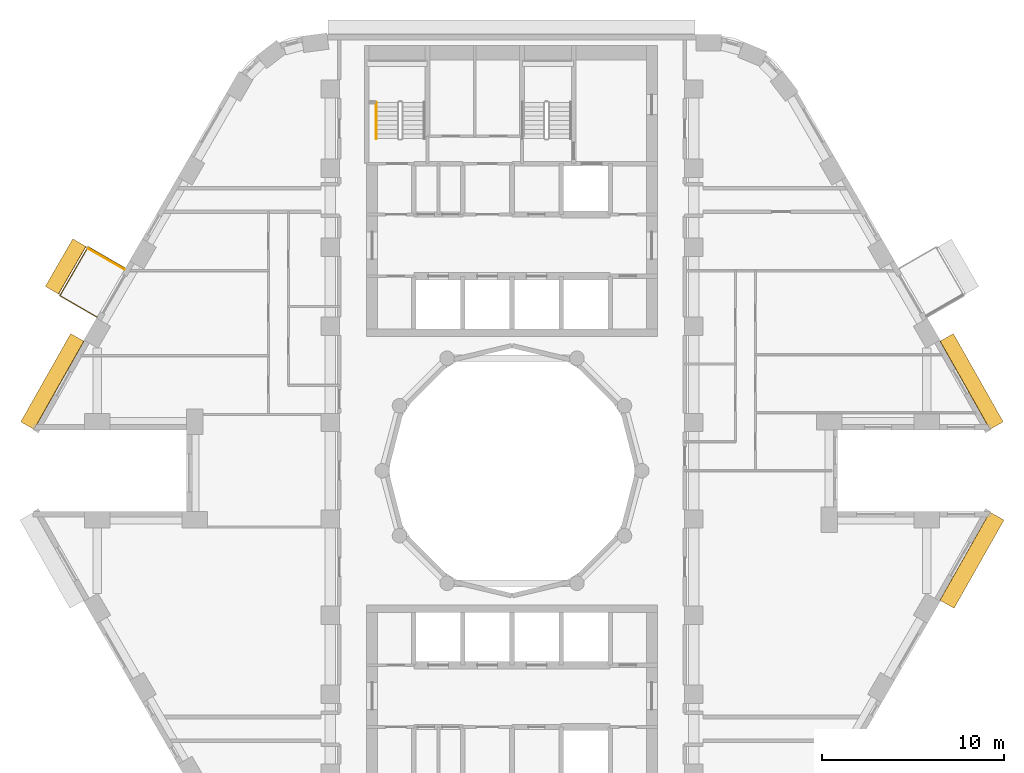
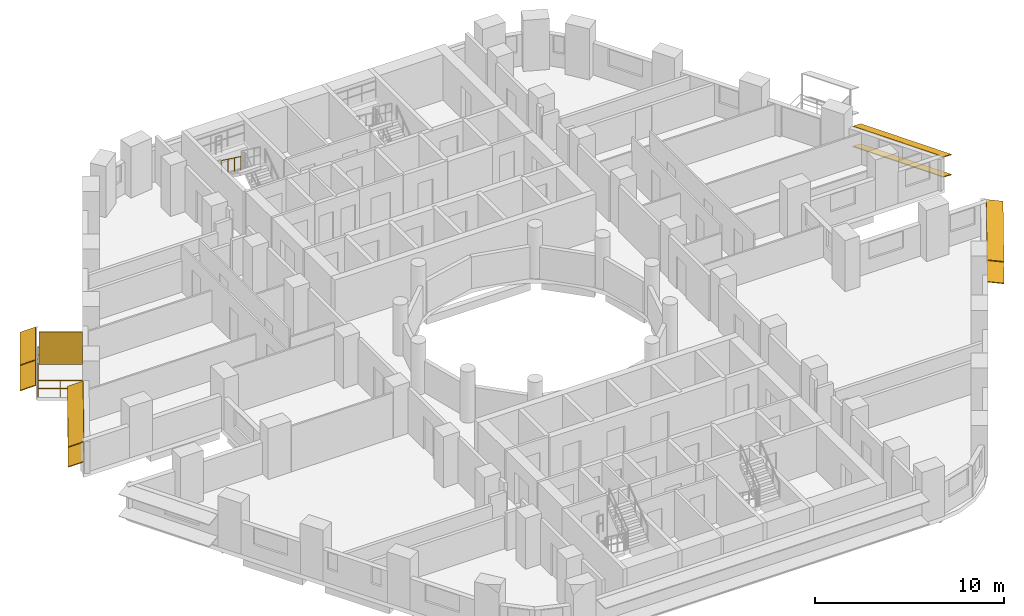
# One storey, part 13 of 14: 9 shading devices, 2 railings.
"""IFC4 building model written with IfcOpenShell, lengths in metres."""

from ifc_helpers import new_model, si_unit, direction, frame, origin, origin_2d, place, context, subcontext, project, spatial, rectangle, circle, extrude, material, layer, layer_set, material_profile, profile_set, type_object, element, save


model = new_model("IFC4")

# Units and contexts
model_context = context("Model", 3, precision=1e-05, world=origin(), true_north=direction((0.0, 1.0)))
body_context = subcontext(model_context, "Body", "Model", "MODEL_VIEW")
ifc_project = project(units=[si_unit("LENGTHUNIT", "METRE"), si_unit("AREAUNIT", "SQUARE_METRE"), si_unit("VOLUMEUNIT", "CUBIC_METRE"), si_unit("PLANEANGLEUNIT", "RADIAN"), si_unit("MASSUNIT", "GRAM", prefix="KILO")], contexts=[model_context])

# Site, building, storey
site_placement = place(None, origin())
site = spatial("IfcSite", under=ifc_project, at=site_placement, CompositionType="ELEMENT")
building_placement = place(site_placement, origin())
building = spatial("IfcBuilding", under=site, at=building_placement, Name="Nakaniwa Court", CompositionType="ELEMENT")
storey_placement = place(building_placement, frame((0.0, 0.0, 117.300048828125)))
storey = spatial("IfcBuildingStorey", under=building, at=storey_placement, Name="L31", CompositionType="ELEMENT", Elevation=117.300048828125)

# Railing
ifc_material_1 = material(Name="Black powder-coated steel flat bar balustrade S275", Category="steel")
railing_type_1 = type_object("IfcRailingType", Name="Black metal balcony guard 1100", PredefinedType="GUARDRAIL", material=ifc_material_1)
railing_1_placement = place(storey_placement, frame((58.7177734375, 91.13818359375, -0.050048828125)))
element("IfcRailing", 1, at=railing_1_placement, inside=storey, type_object=railing_type_1, Name="L31 balcony guard 01", PredefinedType="GUARDRAIL", context=body_context, shape_type="SweptSolid", body=[
    extrude(circle(Radius=0.02392578125, at=origin_2d()), frame((0.0, 0.0, 1.076171875), z_axis=(-0.866025363618, 0.50000006957, 0.0), x_axis=(-0.50000006957, -0.866025363618, 0.0)), (0.0, 0.0, 1.0), 2.35986328125),
    extrude(circle(Radius=0.02392578125, at=origin_2d()), frame((0.0, 0.0, 0.550048828125), z_axis=(-0.866025363618, 0.50000006957, 0.0), x_axis=(-0.50000006957, -0.866025363618, 0.0)), (0.0, 0.0, 1.0), 2.35986328125),
    extrude(circle(Radius=0.02392578125, at=origin_2d()), frame((-2.043701171875, 1.179931640625, 1.076171875), z_axis=(-0.499983724212, -0.866034800411, 0.0), x_axis=(0.866034800411, -0.499983724212, 0.0)), (0.0, 0.0, 1.0), 3.1005859375),
    extrude(circle(Radius=0.02392578125, at=origin_2d()), frame((-2.043701171875, 1.179931640625, 0.550048828125), z_axis=(-0.499983724212, -0.866034800411, 0.0), x_axis=(0.866034800411, -0.499983724212, 0.0)), (0.0, 0.0, 1.0), 3.1005859375),
    extrude(circle(Radius=0.02392578125, at=origin_2d()), frame((-3.593994140625, -1.50537109375, 1.076171875), z_axis=(0.866025363618, -0.50000006957, 0.0), x_axis=(0.50000006957, 0.866025363618, 0.0)), (0.0, 0.0, 1.0), 2.35986328125),
    extrude(circle(Radius=0.02392578125, at=origin_2d()), frame((-3.593994140625, -1.50537109375, 0.550048828125), z_axis=(0.866025363618, -0.50000006957, 0.0), x_axis=(0.50000006957, 0.866025363618, 0.0)), (0.0, 0.0, 1.0), 2.35986328125),
    extrude(circle(Radius=0.02099609375, at=origin_2d()), origin(), (0.0, 0.0, 1.0), 1.052001953125),
    extrude(circle(Radius=0.02099609375, at=origin_2d()), frame((-1.02197265625, 0.58984375, 0.0)), (0.0, 0.0, 1.0), 1.052001953125),
    extrude(circle(Radius=0.02099609375, at=origin_2d()), frame((-2.043701171875, 1.179931640625, 0.0)), (0.0, 0.0, 1.0), 1.052001953125),
    extrude(circle(Radius=0.02099609375, at=origin_2d()), frame((-2.560546875, 0.284912109375, 0.0)), (0.0, 0.0, 1.0), 1.052001953125),
    extrude(circle(Radius=0.02099609375, at=origin_2d()), frame((-3.0771484375, -0.6103515625, 0.0)), (0.0, 0.0, 1.0), 1.052001953125),
    extrude(circle(Radius=0.02099609375, at=origin_2d()), frame((-3.593994140625, -1.50537109375, 0.0)), (0.0, 0.0, 1.0), 1.052001953125),
    extrude(circle(Radius=0.02099609375, at=origin_2d()), frame((-2.572265625, -2.09521484375, 0.0)), (0.0, 0.0, 1.0), 1.052001953125),
    extrude(circle(Radius=0.02099609375, at=origin_2d()), frame((-1.55029296875, -2.685302734375, 0.0)), (0.0, 0.0, 1.0), 1.052001953125),
])

# Shading devices
ifc_material_2 = material(Name="Black powder-coated aluminium slat screen", Category="aluminium")
ifc_layer = layer(ifc_material_2, 0.0400390625)
ifc_layer_set = layer_set([ifc_layer], Name="Black powder-coated aluminium slat screen")
shading_device_type_1 = type_object("IfcShadingDeviceType", Name="Koshi screen black metal", PredefinedType="USERDEFINED", material=ifc_layer_set)
shading_device_placement = place(storey_placement, frame((57.677490234375, 91.646484375, -0.050048828125), z_axis=(0.0, 0.0, 1.0), x_axis=(-0.499974304289, -0.866040238702, 0.0)))
element("IfcShadingDevice", 2, at=shading_device_placement, inside=storey, type_object=shading_device_type_1, Name="L31 balcony SCREEN 01 W", ObjectType="KOSHI SCREEN", PredefinedType="USERDEFINED", context=body_context, shape_type="SweptSolid", body=[
    extrude(rectangle(XDim=0.0400390625, YDim=2.31005859375, at=origin_2d()), origin(), (0.0, 0.0, 1.0), 2.10009765625),
])
ifc_material_3 = material(Name="Perforated charcoal ceramic louvre blade")
ifc_material_profile = material_profile(ifc_material_3, rectangle(XDim=0.89990234375, YDim=0.050048828125, at=origin_2d()), Name="Perforated ceramic louvre blade")
ifc_profile_set = profile_set([ifc_material_profile], Name="Perforated charcoal ceramic louvre blade")
shading_device_type_2 = type_object("IfcShadingDeviceType", Name="Perforated ceramic louvre blade", PredefinedType="JALOUSIE", material=ifc_profile_set)
for number, where, z_axis, x_axis, name in (
    (3, (56.19921875, 92.546142578125, 0.5), (-0.50004193757, -0.866001189763, 0.0), (0.800080774353, -0.461978511518, 0.382683432365), "L31 perforated ceramic louvre blade 01 1"),
    (4, (56.19921875, 92.546142578125, 2.14990234375), (-0.50004193757, -0.866001189763, 0.0), (0.800080774353, -0.461978511518, 0.382683432365), "L31 perforated ceramic louvre blade 01 2"),
):
    element("IfcShadingDevice", number, at=place(storey_placement, frame(where, z_axis=z_axis, x_axis=x_axis)), inside=storey, type_object=shading_device_type_2, Name=name, PredefinedType="JALOUSIE", context=body_context, shape_type="SweptSolid", body=[
        extrude(rectangle(XDim=0.89990234375, YDim=0.050048828125, at=origin_2d()), origin(), (0.0, 0.0, 1.0), 3.020751953125),
    ])
for number, where, z_axis, x_axis, name in (
    (5, (106.662353515625, 82.480224609375, 0.550048828125), (-0.492438058427, 0.870347493024, 0.0), (-0.804676322539, -0.455281653718, 0.38107037635), "L31 perforated ceramic louvre blade w02 1"),
    (6, (106.662353515625, 82.480224609375, 1.845458984375), (-0.492438058427, 0.870347493024, 0.0), (-0.804676322539, -0.455281653718, 0.38107037635), "L31 perforated ceramic louvre blade w02 2"),
    (7, (56.083740234375, 87.333740234375, 0.550048828125), (-0.492438058427, -0.870347493024, 0.0), (0.804676322539, -0.455281653718, 0.38107037635), "L31 perforated ceramic louvre blade w14 1"),
    (8, (56.083740234375, 87.333740234375, 1.845458984375), (-0.492438058427, -0.870347493024, 0.0), (0.804676322539, -0.455281653718, 0.38107037635), "L31 perforated ceramic louvre blade w14 2"),
    (9, (103.93701171875, 72.654541015625, 0.550048828125), (0.492438058427, 0.870347493024, 0.0), (-0.862701960504, 0.488112256124, 0.132256390257), "L31 perforated ceramic louvre blade w32 1"),
    (10, (103.93701171875, 72.654541015625, 1.95556640625), (0.492438058427, 0.870347493024, 0.0), (-0.862701960504, 0.488112256124, 0.132256390257), "L31 perforated ceramic louvre blade w32 2"),
):
    element("IfcShadingDevice", number, at=place(storey_placement, frame(where, z_axis=z_axis, x_axis=x_axis)), inside=storey, type_object=shading_device_type_2, Name=name, PredefinedType="JALOUSIE", context=body_context, shape_type="SweptSolid", body=[
        extrude(rectangle(XDim=0.89990234375, YDim=0.050048828125, at=origin_2d()), origin(), (0.0, 0.0, 1.0), 5.576416015625),
    ])

# Railing
ifc_material_4 = material(Name="Black powder coated steel handrail", Category="steel")
railing_type_2 = type_object("IfcRailingType", Name="Stair handrail 900", PredefinedType="HANDRAIL", material=ifc_material_4)
railing_2_placement = place(storey_placement, frame((72.52490234375, 100.27490234375, 1.833251953125)))
element("IfcRailing", 11, at=railing_2_placement, inside=storey, type_object=railing_type_2, Name="L31 ST1 stair handrail 2", PredefinedType="HANDRAIL", context=body_context, shape_type="SweptSolid", body=[
    extrude(circle(Radius=0.02392578125, at=origin_2d()), frame((0.0, 0.0, 0.8759765625), z_axis=(0.0, -0.806379959628, 0.591397802423), x_axis=(1.0, 0.0, 0.0)), (0.0, 0.0, 1.0), 2.480224609375),
    extrude(circle(Radius=0.02099609375, at=origin_2d()), origin(), (0.0, 0.0, 1.0), 0.851806640625),
    extrude(circle(Radius=0.02099609375, at=origin_2d()), frame((0.0, -0.666748046875, 0.489013671875)), (0.0, 0.0, 1.0), 0.851806640625),
    extrude(circle(Radius=0.02099609375, at=origin_2d()), frame((0.0, -1.333251953125, 0.977783203125)), (0.0, 0.0, 1.0), 0.851806640625),
    extrude(circle(Radius=0.02099609375, at=origin_2d()), frame((0.0, -2.0, 1.466796875)), (0.0, 0.0, 1.0), 0.851806640625),
])

save(model, "model.ifc")
